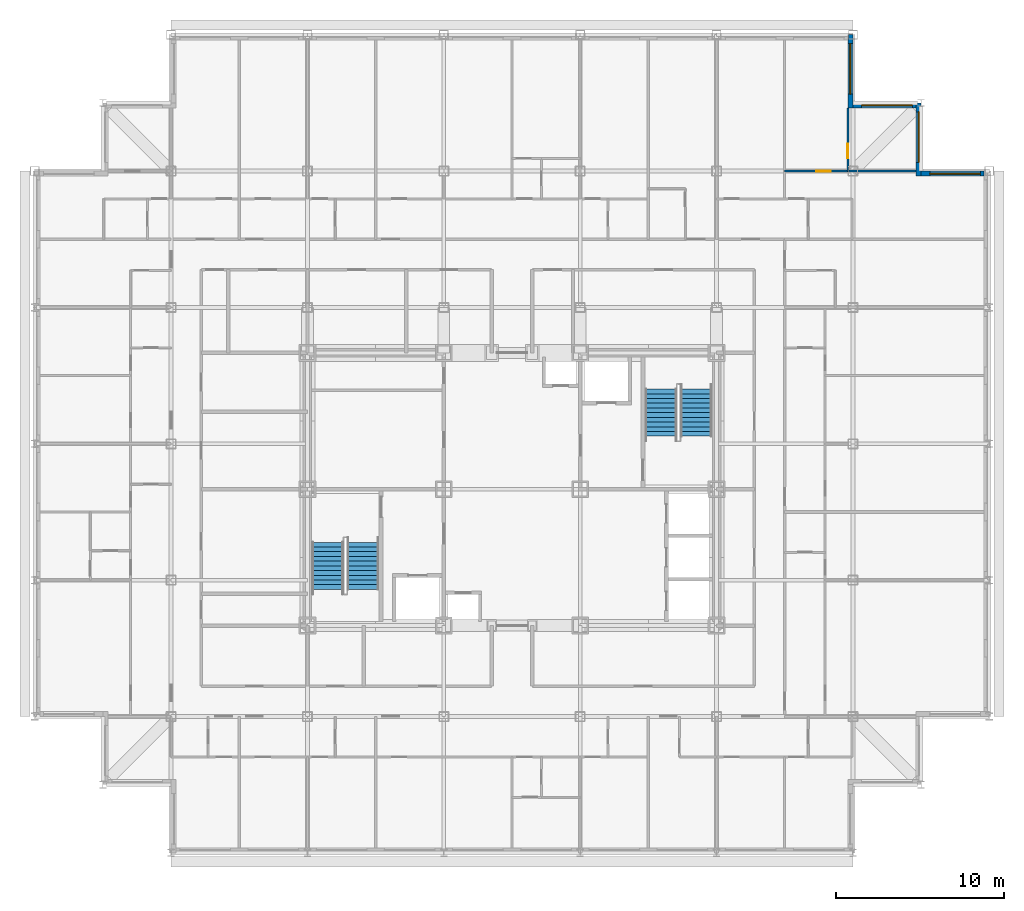
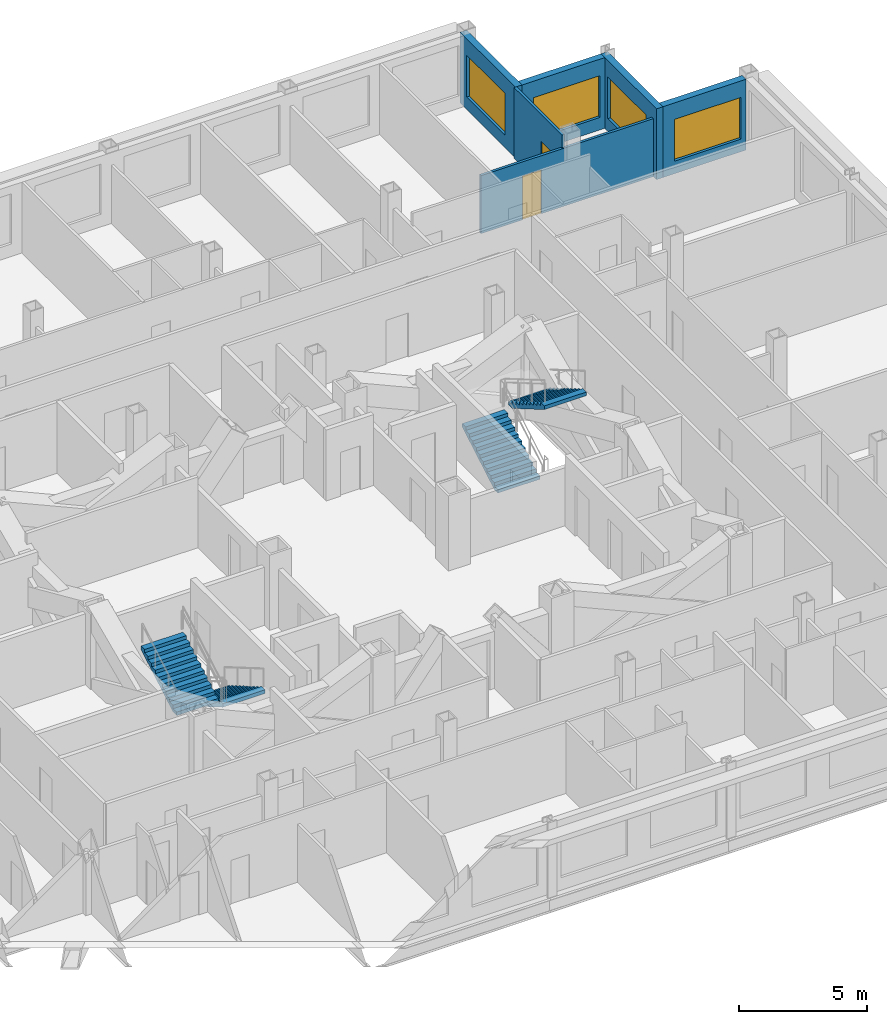
# One storey, part 11 of 12: 6 walls, 4 stair flights, 4 windows, 2 doors, 6 openings, 2 elements without a shape of their own.
"""IFC4 building model written with IfcOpenShell, lengths in metres."""

from ifc_helpers import new_model, si_unit, direction, frame, frame_2d, origin, place, context, subcontext, project, spatial, rectangle, extrude, polygons, source, transform, mapped, material, layer, layer_set, type_object, element, fill, aggregate, save


model = new_model("IFC4")

# Units and contexts
model_context = context("Model", 3, precision=1e-05, world=origin(), true_north=direction((0.0, 1.0)))
body_context = subcontext(model_context, "Body", "Model", "MODEL_VIEW")
ifc_project = project(units=[si_unit("LENGTHUNIT", "METRE"), si_unit("AREAUNIT", "SQUARE_METRE"), si_unit("VOLUMEUNIT", "CUBIC_METRE"), si_unit("PLANEANGLEUNIT", "RADIAN"), si_unit("MASSUNIT", "GRAM", prefix="KILO")], contexts=[model_context])

# Site, building, storey
site_placement = place(None, origin())
site = spatial("IfcSite", under=ifc_project, at=site_placement, CompositionType="ELEMENT")
building_placement = place(site_placement, origin())
building = spatial("IfcBuilding", under=site, at=building_placement, Name="Kopane Lantern Tower", CompositionType="ELEMENT")
storey_placement = place(building_placement, frame((0.0, 0.0, 210.0)))
storey = spatial("IfcBuildingStorey", under=building, at=storey_placement, Name="L54", CompositionType="ELEMENT", Elevation=210.0)

# Wall, opening, door
ifc_material_1 = material(Name="Gypsum board on steel studs", Category="steel")
ifc_layer_1 = layer(ifc_material_1, 0.1201171875)
ifc_layer_set_1 = layer_set([ifc_layer_1], Name="APARTMENT INTERNAL WALL 120")
wall_type_1 = type_object("IfcWallType", Name="APARTMENT INTERNAL WALL 120", PredefinedType="PARTITIONING", material=ifc_layer_set_1)
wall_1_placement = place(storey_placement, frame((44.550048828125, 51.300048828125, 0.0), z_axis=(0.0, 0.0, 1.0), x_axis=(1.0, 0.0, 0.0)))
wall_1 = element("IfcWall", 1, at=wall_1_placement, inside=storey, type_object=wall_type_1, Name="Apartment Internal Wall 120 L54", PredefinedType="PARTITIONING", context=body_context, shape_type="SweptSolid", body=[
    extrude(rectangle(XDim=7.800048828125, YDim=0.1201171875, at=frame_2d((3.89990234375, 0.0))), origin(), (0.0, 0.0, 1.0), 2.77783203125),
])
opening_1_placement = place(wall_1_placement, frame((1.875, 0.0, 0.0)))
opening_1 = element("IfcOpeningElement", 2, at=opening_1_placement, cuts=wall_1, Name="Opening L54-074", PredefinedType="OPENING", context=body_context, shape_type="SweptSolid", body=[
    extrude(rectangle(XDim=0.85009765625, YDim=2.10009765625, at=frame_2d((0.425048828125, 1.050048828125))), frame((0.0, 0.070068359375, 0.0), z_axis=(0.0, -1.0, 0.0), x_axis=(1.0, 0.0, 0.0)), (0.0, 0.0, 1.0), 0.14013671875),
])
ifc_material_2 = material(Name="Timber door set", Category="wood")
door_type = type_object("IfcDoorType", Name="DOOR D4 850x2100", OperationType="SINGLE_SWING_LEFT", PredefinedType="DOOR", material=ifc_material_2)
door_1_placement = place(opening_1_placement, origin())
door_1 = element("IfcDoor", 3, at=door_1_placement, inside=storey, type_object=door_type, Name="Door L54-074", OperationType="SINGLE_SWING_RIGHT", OverallHeight=2.10009765625, OverallWidth=0.85009765625, PredefinedType="DOOR", context=body_context, shape_type="SweptSolid", body=[
    extrude(rectangle(XDim=0.85009765625, YDim=2.10009765625, at=frame_2d((0.425048828125, 1.050048828125))), frame((0.0, 0.02490234375, 0.0), z_axis=(0.0, -1.0, 0.0), x_axis=(1.0, 0.0, 0.0)), (0.0, 0.0, 1.0), 0.050048828125),
])
fill(opening_1, door_1)

wall_2_placement = place(storey_placement, frame((48.300048828125, 51.300048828125, 0.0), z_axis=(0.0, 0.0, 1.0), x_axis=(0.0, 1.0, 0.0)))
wall_2 = element("IfcWall", 4, at=wall_2_placement, inside=storey, type_object=wall_type_1, Name="Apartment Internal Wall 120 L54", PredefinedType="PARTITIONING", context=body_context, shape_type="SweptSolid", body=[
    extrude(rectangle(XDim=3.75, YDim=0.1201171875, at=frame_2d((1.875, 0.0))), origin(), (0.0, 0.0, 1.0), 3.389892578125),
])
opening_2_placement = place(wall_2_placement, frame((0.77490234375, 0.0, 0.0)))
opening_2 = element("IfcOpeningElement", 5, at=opening_2_placement, cuts=wall_2, Name="Opening L54-083", PredefinedType="OPENING", context=body_context, shape_type="SweptSolid", body=[
    extrude(rectangle(XDim=0.85009765625, YDim=2.10009765625, at=frame_2d((0.425048828125, 1.050048828125))), frame((0.0, 0.070068359375, 0.0), z_axis=(0.0, -1.0, 0.0), x_axis=(1.0, 0.0, 0.0)), (0.0, 0.0, 1.0), 0.14013671875),
])
door_2_placement = place(opening_2_placement, origin())
door_2 = element("IfcDoor", 6, at=door_2_placement, inside=storey, type_object=door_type, Name="Door L54-083", OperationType="SINGLE_SWING_RIGHT", OverallHeight=2.10009765625, OverallWidth=0.85009765625, PredefinedType="DOOR", context=body_context, shape_type="SweptSolid", body=[
    extrude(rectangle(XDim=0.85009765625, YDim=2.10009765625, at=frame_2d((0.425048828125, 1.050048828125))), frame((0.0, 0.02490234375, 0.0), z_axis=(0.0, -1.0, 0.0), x_axis=(1.0, 0.0, 0.0)), (0.0, 0.0, 1.0), 0.050048828125),
])
fill(opening_2, door_2)

# Wall, opening, window
ifc_material_3 = material(Name="Terracotta rainscreen on light steel framing", Category="masonry")
ifc_layer_2 = layer(ifc_material_3, 0.300048828125)
ifc_layer_set_2 = layer_set([ifc_layer_2], Name="EXTERNAL WALL EW1 300 TERRACOTTA")
wall_type_2 = type_object("IfcWallType", Name="EXTERNAL WALL EW1 300 TERRACOTTA", PredefinedType="SOLIDWALL", material=ifc_layer_set_2)
wall_3_placement = place(storey_placement, frame((56.39990234375, 51.14990234375, 0.0), z_axis=(0.0, 0.0, 1.0), x_axis=(-1.0, 0.0, 0.0)))
wall_3 = element("IfcWall", 7, at=wall_3_placement, inside=storey, type_object=wall_type_2, Name="External wall N L54", PredefinedType="SOLIDWALL", context=body_context, shape_type="SweptSolid", body=[
    extrude(rectangle(XDim=3.75, YDim=0.300048828125, at=frame_2d((1.875, 0.0))), origin(), (0.0, 0.0, 1.0), 3.389892578125),
])
opening_3_placement = place(wall_3_placement, frame((0.22509765625, 0.0, 0.60009765625)))
opening_3 = element("IfcOpeningElement", 8, at=opening_3_placement, cuts=wall_3, Name="Opening WR300200", PredefinedType="OPENING", context=body_context, shape_type="SweptSolid", body=[
    extrude(rectangle(XDim=3.0, YDim=2.0, at=frame_2d((1.5, 1.0))), frame((0.0, 0.159912109375, 0.0), z_axis=(0.0, -1.0, 0.0), x_axis=(1.0, 0.0, 0.0)), (0.0, 0.0, 1.0), 0.320068359375),
])
ifc_material_4 = material(Name="Aluminium and clear glass", Category="aluminium")
window_type = type_object("IfcWindowType", Name="RIBBON WINDOW WR300200 3000x2000", PartitioningType="SINGLE_PANEL", PredefinedType="WINDOW", material=ifc_material_4)
window_1_placement = place(opening_3_placement, origin())
window_1 = element("IfcWindow", 9, at=window_1_placement, inside=storey, type_object=window_type, Name="Window N L54", OverallHeight=2.0, OverallWidth=3.0, PartitioningType="SINGLE_PANEL", PredefinedType="WINDOW", context=body_context, shape_type="SweptSolid", body=[
    extrude(rectangle(XDim=3.0, YDim=2.0, at=frame_2d((1.5, 1.0))), frame((0.0, 0.030029296875, 0.0), z_axis=(0.0, -1.0, 0.0), x_axis=(1.0, 0.0, 0.0)), (0.0, 0.0, 1.0), 0.06005859375),
])
fill(opening_3, window_1)

wall_4_placement = place(storey_placement, frame((52.5, 51.0, 0.0), z_axis=(0.0, 0.0, 1.0), x_axis=(0.0, 1.0, 0.0)))
wall_4 = element("IfcWall", 10, at=wall_4_placement, inside=storey, type_object=wall_type_2, Name="External wall E L54", PredefinedType="SOLIDWALL", context=body_context, shape_type="SweptSolid", body=[
    extrude(rectangle(XDim=4.35009765625, YDim=0.300048828125, at=frame_2d((2.175048828125, 0.0))), origin(), (0.0, 0.0, 1.0), 3.389892578125),
])
opening_4_placement = place(wall_4_placement, frame((0.824951171875, 0.0, 0.60009765625)))
opening_4 = element("IfcOpeningElement", 11, at=opening_4_placement, cuts=wall_4, Name="Opening WR300200", PredefinedType="OPENING", context=body_context, shape_type="SweptSolid", body=[
    extrude(rectangle(XDim=3.0, YDim=2.0, at=frame_2d((1.5, 1.0))), frame((0.0, 0.159912109375, 0.0), z_axis=(0.0, -1.0, 0.0), x_axis=(1.0, 0.0, 0.0)), (0.0, 0.0, 1.0), 0.320068359375),
])
window_2_placement = place(opening_4_placement, origin())
window_2 = element("IfcWindow", 12, at=window_2_placement, inside=storey, type_object=window_type, Name="Window E L54", OverallHeight=2.0, OverallWidth=3.0, PartitioningType="SINGLE_PANEL", PredefinedType="WINDOW", context=body_context, shape_type="SweptSolid", body=[
    extrude(rectangle(XDim=3.0, YDim=2.0, at=frame_2d((1.5, 1.0))), frame((0.0, 0.030029296875, 0.0), z_axis=(0.0, -1.0, 0.0), x_axis=(1.0, 0.0, 0.0)), (0.0, 0.0, 1.0), 0.06005859375),
])
fill(opening_4, window_2)

wall_5_placement = place(storey_placement, frame((52.35009765625, 55.199951171875, 0.0), z_axis=(0.0, 0.0, 1.0), x_axis=(-1.0, 0.0, 0.0)))
wall_5 = element("IfcWall", 13, at=wall_5_placement, inside=storey, type_object=wall_type_2, Name="External wall N L54", PredefinedType="SOLIDWALL", context=body_context, shape_type="SweptSolid", body=[
    extrude(rectangle(XDim=3.75, YDim=0.300048828125, at=frame_2d((1.875, 0.0))), origin(), (0.0, 0.0, 1.0), 3.389892578125),
])
opening_5_placement = place(wall_5_placement, frame((0.22509765625, 0.0, 0.60009765625)))
opening_5 = element("IfcOpeningElement", 14, at=opening_5_placement, cuts=wall_5, Name="Opening WR300200", PredefinedType="OPENING", context=body_context, shape_type="SweptSolid", body=[
    extrude(rectangle(XDim=3.0, YDim=2.0, at=frame_2d((1.5, 1.0))), frame((0.0, 0.159912109375, 0.0), z_axis=(0.0, -1.0, 0.0), x_axis=(1.0, 0.0, 0.0)), (0.0, 0.0, 1.0), 0.320068359375),
])
window_3_placement = place(opening_5_placement, origin())
window_3 = element("IfcWindow", 15, at=window_3_placement, inside=storey, type_object=window_type, Name="Window N L54", OverallHeight=2.0, OverallWidth=3.0, PartitioningType="SINGLE_PANEL", PredefinedType="WINDOW", context=body_context, shape_type="SweptSolid", body=[
    extrude(rectangle(XDim=3.0, YDim=2.0, at=frame_2d((1.5, 1.0))), frame((0.0, 0.030029296875, 0.0), z_axis=(0.0, -1.0, 0.0), x_axis=(1.0, 0.0, 0.0)), (0.0, 0.0, 1.0), 0.06005859375),
])
fill(opening_5, window_3)

wall_6_placement = place(storey_placement, frame((48.449951171875, 55.050048828125, 0.0), z_axis=(0.0, 0.0, 1.0), x_axis=(0.0, 1.0, 0.0)))
wall_6 = element("IfcWall", 16, at=wall_6_placement, inside=storey, type_object=wall_type_2, Name="External wall E L54", PredefinedType="SOLIDWALL", context=body_context, shape_type="SweptSolid", body=[
    extrude(rectangle(XDim=4.349853515625, YDim=0.300048828125, at=frame_2d((2.1748046875, 0.0))), origin(), (0.0, 0.0, 1.0), 3.389892578125),
])
opening_6_placement = place(wall_6_placement, frame((0.824951171875, 0.0, 0.60009765625)))
opening_6 = element("IfcOpeningElement", 17, at=opening_6_placement, cuts=wall_6, Name="Opening WR300200", PredefinedType="OPENING", context=body_context, shape_type="SweptSolid", body=[
    extrude(rectangle(XDim=3.0, YDim=2.0, at=frame_2d((1.5, 1.0))), frame((0.0, 0.159912109375, 0.0), z_axis=(0.0, -1.0, 0.0), x_axis=(1.0, 0.0, 0.0)), (0.0, 0.0, 1.0), 0.320068359375),
])
window_4_placement = place(opening_6_placement, origin())
window_4 = element("IfcWindow", 18, at=window_4_placement, inside=storey, type_object=window_type, Name="Window E L54", OverallHeight=2.0, OverallWidth=3.0, PartitioningType="SINGLE_PANEL", PredefinedType="WINDOW", context=body_context, shape_type="SweptSolid", body=[
    extrude(rectangle(XDim=3.0, YDim=2.0, at=frame_2d((1.5, 1.0))), frame((0.0, 0.030029296875, 0.0), z_axis=(0.0, -1.0, 0.0), x_axis=(1.0, 0.0, 0.0)), (0.0, 0.0, 1.0), 0.06005859375),
])
fill(opening_6, window_4)

# Stair, stair flights
ifc_material_5 = material(Name="Steel S355JR", Category="steel")
stair_type = type_object("IfcStairType", Name="EXIT STAIR 1900 HALF TURN", PredefinedType="HALF_TURN_STAIR", material=ifc_material_5)
stair_1_placement = place(storey_placement, origin())
stair_1 = element("IfcStair", 19, at=stair_1_placement, inside=storey, type_object=stair_type, Name="Exit stair ST1 L54", PredefinedType="HALF_TURN_STAIR")
ifc_material_6 = material(Name="Steel S355JR", Category="steel")
stair_flight_type = type_object("IfcStairFlightType", Name="STAIR FLIGHT 1900 STEEL", PredefinedType="STRAIGHT", material=ifc_material_6)
shared_shape = source(origin(), body_context, "Body", "Tessellation", [
    polygons([(2.800048828, 0.949951172, 1.636474609), (2.520019531, 0.949951172, 1.636474609), (2.520019531, -0.949951172, 1.636474609), (2.800048828, -0.949951172, 1.636474609), (0.297119141, 0.949951172, 0.0), (2.800048828, 0.949951172, 1.462646484), (2.800048828, -0.949951172, 1.462646484), (0.297119141, -0.949951172, 0.0), (0.0, 0.949951172, 0.0), (0.0, -0.949951172, 0.0), (0.280029297, 0.949951172, 0.163574219), (0.0, 0.949951172, 0.163574219), (0.0, -0.949951172, 0.163574219), (0.280029297, -0.949951172, 0.163574219), (0.280029297, 0.949951172, 0.327392578), (0.280029297, -0.949951172, 0.327392578), (0.560058594, 0.949951172, 0.327392578), (0.560058594, -0.949951172, 0.327392578), (0.560058594, 0.949951172, 0.490966797), (0.560058594, -0.949951172, 0.490966797), (0.840087891, 0.949951172, 0.490966797), (0.840087891, -0.949951172, 0.490966797), (0.840087891, 0.949951172, 0.654541016), (0.840087891, -0.949951172, 0.654541016), (1.120117188, 0.949951172, 0.654541016), (1.120117188, -0.949951172, 0.654541016), (1.120117188, 0.949951172, 0.818115234), (1.120117188, -0.949951172, 0.818115234), (1.399902344, 0.949951172, 0.818115234), (1.399902344, -0.949951172, 0.818115234), (1.399902344, 0.949951172, 0.981933594), (1.399902344, -0.949951172, 0.981933594), (1.679931641, 0.949951172, 0.981933594), (1.679931641, -0.949951172, 0.981933594), (1.679931641, 0.949951172, 1.145507812), (1.679931641, -0.949951172, 1.145507812), (1.959960938, 0.949951172, 1.145507812), (1.959960938, -0.949951172, 1.145507812), (1.959960938, 0.949951172, 1.309082031), (1.959960938, -0.949951172, 1.309082031), (2.239990234, 0.949951172, 1.309082031), (2.239990234, -0.949951172, 1.309082031), (2.239990234, 0.949951172, 1.47265625), (2.239990234, -0.949951172, 1.47265625), (2.520019531, 0.949951172, 1.47265625), (2.520019531, -0.949951172, 1.47265625), (0.0, 0.0, 0.004420925), (0.0, 0.0, 0.00884185), (0.0, 0.0, 0.013262774), (0.0, 0.0, 0.017683699), (0.0, 0.0, 0.022104624), (0.0, 0.0, 0.026525549), (0.0, 0.0, 0.030946474), (0.0, 0.0, 0.035367399), (0.0, 0.0, 0.039788323), (0.0, 0.0, 0.044209248), (0.0, 0.0, 0.048630173), (0.0, 0.0, 0.053051098), (0.0, 0.0, 0.057472023), (0.0, 0.0, 0.061892948), (0.0, 0.0, 0.066313872), (0.0, 0.0, 0.070734797), (0.0, 0.0, 0.075155722), (0.0, 0.0, 0.079576647), (0.0, 0.0, 0.083997572), (0.0, 0.0, 0.088418497), (0.0, 0.0, 0.092839421), (0.0, 0.0, 0.097260346), (0.0, 0.0, 0.101681271), (0.0, 0.0, 0.106102196), (0.0, 0.0, 0.110523121), (0.0, 0.0, 0.114944046), (0.0, 0.0, 0.11936497), (0.0, 0.0, 0.123785895), (0.0, 0.0, 0.12820682), (0.0, 0.0, 0.132627745), (0.0, 0.0, 0.13704867), (0.0, 0.0, 0.141469595), (0.0, 0.0, 0.145890519), (0.0, 0.0, 0.150311444), (0.0, 0.0, 0.154732369), (0.0, 0.0, 0.159153294), (2.800048828, 0.0, 1.467344542), (2.800048828, 0.0, 1.472042599), (2.800048828, 0.0, 1.476740657), (2.800048828, 0.0, 1.481438714), (2.800048828, 0.0, 1.486136772), (2.800048828, 0.0, 1.490834829), (2.800048828, 0.0, 1.495532886), (2.800048828, 0.0, 1.500230944), (2.800048828, 0.0, 1.504929001), (2.800048828, 0.0, 1.509627059), (2.800048828, 0.0, 1.514325116), (2.800048828, 0.0, 1.519023174), (2.800048828, 0.0, 1.523721231), (2.800048828, 0.0, 1.528419288), (2.800048828, 0.0, 1.533117346), (2.800048828, 0.0, 1.537815403), (2.800048828, 0.0, 1.542513461), (2.800048828, 0.0, 1.547211518), (2.800048828, 0.0, 1.551909576), (2.800048828, 0.0, 1.556607633), (2.800048828, 0.0, 1.56130569), (2.800048828, 0.0, 1.566003748), (2.800048828, 0.0, 1.570701805), (2.800048828, 0.0, 1.575399863), (2.800048828, 0.0, 1.58009792), (2.800048828, 0.0, 1.584795978), (2.800048828, 0.0, 1.589494035), (2.800048828, 0.0, 1.594192092), (2.800048828, 0.0, 1.59889015), (2.800048828, 0.0, 1.603588207), (2.800048828, 0.0, 1.608286265), (2.800048828, 0.0, 1.612984322), (2.800048828, 0.0, 1.61768238), (2.800048828, 0.0, 1.622380437), (2.800048828, 0.0, 1.627078495), (2.800048828, 0.0, 1.631776552)], [[[1, 2, 3]], [[1, 3, 4]], [[5, 6, 7]], [[5, 7, 8]], [[9, 5, 8]], [[9, 8, 10]], [[11, 12, 13]], [[11, 13, 14]], [[15, 11, 14]], [[15, 14, 16]], [[17, 15, 16]], [[17, 16, 18]], [[19, 17, 18]], [[19, 18, 20]], [[21, 19, 20]], [[21, 20, 22]], [[23, 21, 22]], [[23, 22, 24]], [[25, 23, 24]], [[25, 24, 26]], [[27, 25, 26]], [[27, 26, 28]], [[29, 27, 28]], [[29, 28, 30]], [[31, 29, 30]], [[31, 30, 32]], [[33, 31, 32]], [[33, 32, 34]], [[35, 33, 34]], [[35, 34, 36]], [[37, 35, 36]], [[37, 36, 38]], [[39, 37, 38]], [[39, 38, 40]], [[41, 39, 40]], [[41, 40, 42]], [[43, 41, 42]], [[43, 42, 44]], [[45, 43, 44]], [[45, 44, 46]], [[2, 45, 46]], [[2, 46, 3]], [[45, 1, 6]], [[41, 45, 6]], [[2, 1, 45]], [[37, 41, 6]], [[43, 45, 41]], [[39, 41, 37]], [[35, 37, 33]], [[31, 33, 29]], [[27, 29, 25]], [[5, 21, 25]], [[17, 21, 5]], [[23, 25, 21]], [[11, 17, 5]], [[19, 21, 17]], [[9, 11, 5]], [[15, 17, 11]], [[12, 11, 9]], [[6, 5, 25]], [[6, 25, 29]], [[6, 29, 33]], [[6, 33, 37]], [[7, 4, 46]], [[7, 46, 42]], [[46, 4, 3]], [[7, 42, 38]], [[42, 46, 44]], [[38, 42, 40]], [[34, 38, 36]], [[30, 34, 32]], [[26, 30, 28]], [[26, 22, 8]], [[8, 22, 18]], [[22, 26, 24]], [[8, 18, 14]], [[18, 22, 20]], [[8, 14, 10]], [[14, 18, 16]], [[10, 14, 13]], [[26, 8, 7]], [[30, 26, 7]], [[34, 30, 7]], [[38, 34, 7]], [[10, 47, 9]], [[10, 48, 47]], [[9, 47, 48]], [[10, 49, 48]], [[9, 48, 49]], [[10, 50, 49]], [[9, 49, 50]], [[10, 51, 50]], [[9, 50, 51]], [[10, 52, 51]], [[9, 51, 52]], [[10, 53, 52]], [[9, 52, 53]], [[10, 54, 53]], [[9, 53, 54]], [[10, 55, 54]], [[9, 54, 55]], [[10, 56, 55]], [[9, 55, 56]], [[10, 57, 56]], [[9, 56, 57]], [[10, 58, 57]], [[9, 57, 58]], [[10, 59, 58]], [[9, 58, 59]], [[10, 60, 59]], [[9, 59, 60]], [[10, 61, 60]], [[9, 60, 61]], [[10, 62, 61]], [[9, 61, 62]], [[10, 63, 62]], [[9, 62, 63]], [[10, 64, 63]], [[9, 63, 64]], [[10, 65, 64]], [[9, 64, 65]], [[10, 66, 65]], [[9, 65, 66]], [[10, 67, 66]], [[9, 66, 67]], [[10, 68, 67]], [[9, 67, 68]], [[10, 69, 68]], [[9, 68, 69]], [[10, 70, 69]], [[9, 69, 70]], [[10, 71, 70]], [[9, 70, 71]], [[10, 72, 71]], [[9, 71, 72]], [[10, 73, 72]], [[9, 72, 73]], [[10, 74, 73]], [[9, 73, 74]], [[10, 75, 74]], [[9, 74, 75]], [[10, 76, 75]], [[9, 75, 76]], [[10, 77, 76]], [[9, 76, 77]], [[10, 78, 77]], [[9, 77, 78]], [[10, 79, 78]], [[9, 78, 79]], [[10, 80, 79]], [[9, 79, 80]], [[10, 81, 80]], [[9, 80, 81]], [[10, 82, 81]], [[9, 81, 82]], [[10, 13, 82]], [[82, 13, 12]], [[9, 82, 12]], [[7, 6, 83]], [[7, 83, 84]], [[6, 84, 83]], [[7, 84, 85]], [[6, 85, 84]], [[7, 85, 86]], [[6, 86, 85]], [[7, 86, 87]], [[6, 87, 86]], [[7, 87, 88]], [[6, 88, 87]], [[7, 88, 89]], [[6, 89, 88]], [[7, 89, 90]], [[6, 90, 89]], [[7, 90, 91]], [[6, 91, 90]], [[7, 91, 92]], [[6, 92, 91]], [[7, 92, 93]], [[6, 93, 92]], [[7, 93, 94]], [[6, 94, 93]], [[7, 94, 95]], [[6, 95, 94]], [[7, 95, 96]], [[6, 96, 95]], [[7, 96, 97]], [[6, 97, 96]], [[7, 97, 98]], [[6, 98, 97]], [[7, 98, 99]], [[6, 99, 98]], [[7, 99, 100]], [[6, 100, 99]], [[7, 100, 101]], [[6, 101, 100]], [[7, 101, 102]], [[6, 102, 101]], [[7, 102, 103]], [[6, 103, 102]], [[7, 103, 104]], [[6, 104, 103]], [[7, 104, 105]], [[6, 105, 104]], [[7, 105, 106]], [[6, 106, 105]], [[7, 106, 107]], [[6, 107, 106]], [[7, 107, 108]], [[6, 108, 107]], [[7, 108, 109]], [[6, 109, 108]], [[7, 109, 110]], [[6, 110, 109]], [[7, 110, 111]], [[6, 111, 110]], [[7, 111, 112]], [[6, 112, 111]], [[7, 112, 113]], [[6, 113, 112]], [[7, 113, 114]], [[6, 114, 113]], [[7, 114, 115]], [[6, 115, 114]], [[7, 115, 116]], [[6, 116, 115]], [[7, 116, 117]], [[6, 117, 116]], [[7, 117, 118]], [[6, 118, 117]], [[7, 118, 4]], [[118, 1, 4]], [[6, 1, 118]]], closed=True),
])
stair_flight_1_placement = place(storey_placement, frame((19.5, 29.25, 0.0), z_axis=(0.0, 0.0, 1.0), x_axis=(0.0, -1.0, 0.0)))
stair_flight_1 = element("IfcStairFlight", 20, at=stair_flight_1_placement, type_object=stair_flight_type, Name="ST1 flight 1", NumberOfRisers=11, NumberOfTreads=10, PredefinedType="STRAIGHT", RiserHeight=0.163636364, TreadLength=0.28, context=body_context, shape_type="MappedRepresentation", body=[
    mapped(shared_shape, transform((0.0, 0.0, 0.0))),
])
stair_flight_2_placement = place(storey_placement, frame((17.39990234375, 26.449951171875, 1.800048828125), z_axis=(0.0, 0.0, 1.0), x_axis=(0.0, 1.0, 0.0)))
stair_flight_2 = element("IfcStairFlight", 21, at=stair_flight_2_placement, type_object=stair_flight_type, Name="ST1 flight 2", NumberOfRisers=11, NumberOfTreads=10, PredefinedType="STRAIGHT", RiserHeight=0.163636364, TreadLength=0.28, context=body_context, shape_type="MappedRepresentation", body=[
    mapped(shared_shape, transform((0.0, 0.0, 0.0))),
])
aggregate(stair_1, [stair_flight_1, stair_flight_2])

stair_2_placement = place(storey_placement, origin())
stair_2 = element("IfcStair", 22, at=stair_2_placement, inside=storey, type_object=stair_type, Name="Exit stair ST2 L54", PredefinedType="HALF_TURN_STAIR")
stair_flight_3_placement = place(storey_placement, frame((37.199951171875, 35.550048828125, 0.0), z_axis=(0.0, 0.0, 1.0), x_axis=(0.0, 1.0, 0.0)))
stair_flight_3 = element("IfcStairFlight", 23, at=stair_flight_3_placement, type_object=stair_flight_type, Name="ST2 flight 1", NumberOfRisers=11, NumberOfTreads=10, PredefinedType="STRAIGHT", RiserHeight=0.163636364, TreadLength=0.28, context=body_context, shape_type="MappedRepresentation", body=[
    mapped(shared_shape, transform((0.0, 0.0, 0.0))),
])
stair_flight_4_placement = place(storey_placement, frame((39.300048828125, 38.35009765625, 1.800048828125), z_axis=(0.0, 0.0, 1.0), x_axis=(0.0, -1.0, 0.0)))
stair_flight_4 = element("IfcStairFlight", 24, at=stair_flight_4_placement, type_object=stair_flight_type, Name="ST2 flight 2", NumberOfRisers=11, NumberOfTreads=10, PredefinedType="STRAIGHT", RiserHeight=0.163636364, TreadLength=0.28, context=body_context, shape_type="MappedRepresentation", body=[
    mapped(shared_shape, transform((0.0, 0.0, 0.0))),
])
aggregate(stair_2, [stair_flight_3, stair_flight_4])

save(model, "model.ifc")
